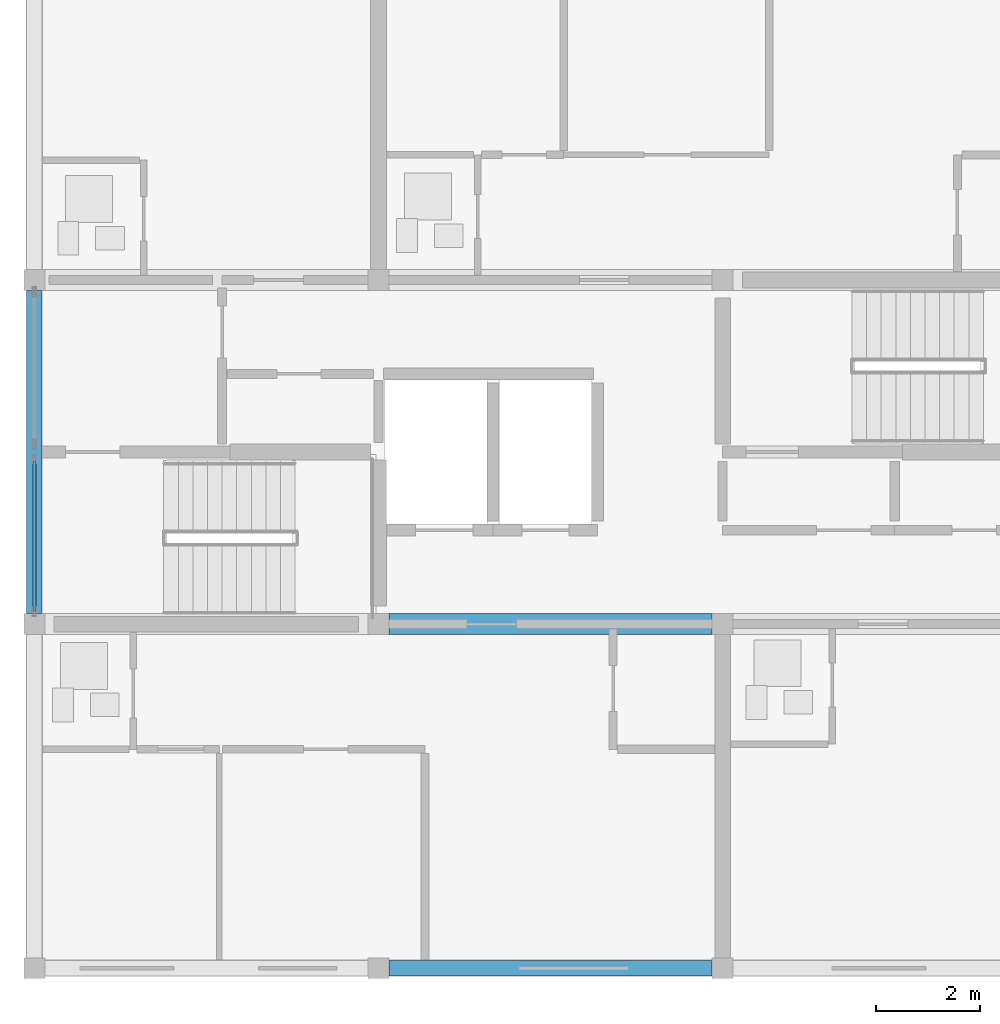
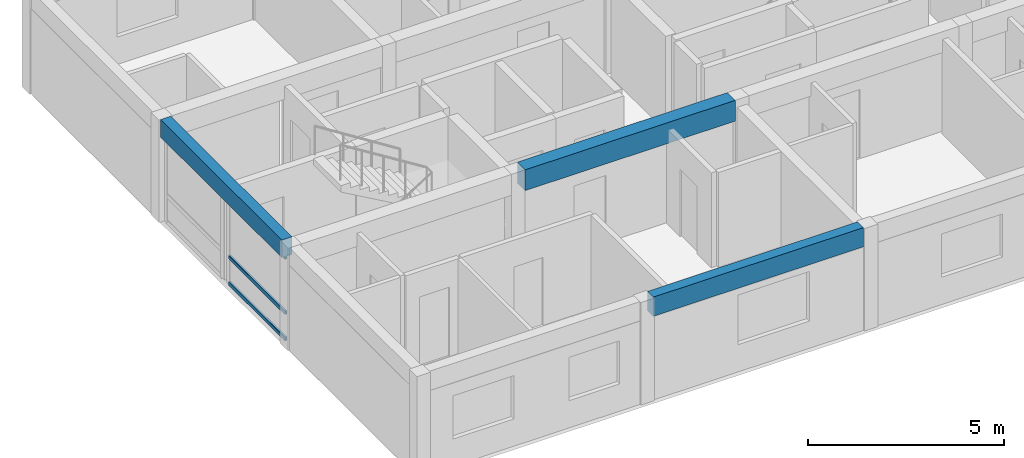
# One storey, part 5 of 45: 3 beams, 3 members, 1 element without a shape of its own.
"""IFC4 building model written with IfcOpenShell, lengths in metres."""

from ifc_helpers import new_model, si_unit, direction, frame, origin, origin_2d, place, context, subcontext, project, spatial, rectangle, hollow_rectangle, extrude, material, material_profile, profile_set, type_object, element, aggregate, save


model = new_model("IFC4")

# Units and contexts
model_context = context("Model", 3, precision=1e-05, world=origin(), true_north=direction((0.0, 1.0)))
body_context = subcontext(model_context, "Body", "Model", "MODEL_VIEW")
ifc_project = project(units=[si_unit("LENGTHUNIT", "METRE"), si_unit("AREAUNIT", "SQUARE_METRE"), si_unit("VOLUMEUNIT", "CUBIC_METRE"), si_unit("PLANEANGLEUNIT", "RADIAN"), si_unit("MASSUNIT", "GRAM", prefix="KILO")], contexts=[model_context])

# Site, building, storey
site_placement = place(None, origin())
site = spatial("IfcSite", under=ifc_project, at=site_placement, CompositionType="ELEMENT")
building_placement = place(site_placement, origin())
building = spatial("IfcBuilding", under=site, at=building_placement, Name="Kernevlak Ridge Housing Community", CompositionType="ELEMENT")
storey_placement = place(building_placement, frame((0.0, 0.0, 21.199951171875)))
storey = spatial("IfcBuildingStorey", under=building, at=storey_placement, Name="L06", CompositionType="ELEMENT", Elevation=21.199951171875)

# Beams
ifc_material_1 = material(Name="Concrete C35/45", Category="concrete")
ifc_material_profile_1 = material_profile(ifc_material_1, rectangle(XDim=0.39990234375, YDim=0.64990234375, at=origin_2d()), Name="RC 400x650")
ifc_profile_set_1 = profile_set([ifc_material_profile_1], Name="Concrete C35/45")
beam_type_1 = type_object("IfcBeamType", Name="B-03", PredefinedType="T_BEAM", material=ifc_profile_set_1)
beam_1_placement = place(storey_placement, frame((22.39990234375, 22.199951171875, 2.875), z_axis=(1.0, 0.0, 0.0), x_axis=(0.0, 1.0, 0.0)))
element("IfcBeam", 1, at=beam_1_placement, inside=storey, type_object=beam_type_1, Name="Beam B-03 L06 1459", PredefinedType="T_BEAM", context=body_context, shape_type="SweptSolid", body=[
    extrude(rectangle(XDim=0.39990234375, YDim=0.64990234375, at=origin_2d()), origin(), (0.0, 0.0, 1.0), 6.2001953125),
])
ifc_material_profile_2 = material_profile(ifc_material_1, rectangle(XDim=0.300048828125, YDim=0.550048828125, at=origin_2d()), Name="RC 300x550")
ifc_profile_set_2 = profile_set([ifc_material_profile_2], Name="Concrete C35/45")
beam_type_2 = type_object("IfcBeamType", Name="SP-01", PredefinedType="SPANDREL", material=ifc_profile_set_2)
beam_2_placement = place(storey_placement, frame((15.60009765625, 22.39990234375, 2.925048828125), z_axis=(0.0, 1.0, 0.0), x_axis=(-1.0, 0.0, 0.0)))
element("IfcBeam", 2, at=beam_2_placement, inside=storey, type_object=beam_type_2, Name="Beam SP-01 L06 1471", PredefinedType="SPANDREL", context=body_context, shape_type="SweptSolid", body=[
    extrude(rectangle(XDim=0.300048828125, YDim=0.550048828125, at=origin_2d()), origin(), (0.0, 0.0, 1.0), 6.2001953125),
])
ifc_material_profile_3 = material_profile(ifc_material_1, rectangle(XDim=0.300048828125, YDim=0.60009765625, at=origin_2d()), Name="RC 300x600")
ifc_profile_set_3 = profile_set([ifc_material_profile_3], Name="Concrete C35/45")
beam_type_3 = type_object("IfcBeamType", Name="SP-02", PredefinedType="SPANDREL", material=ifc_profile_set_3)
beam_3_placement = place(storey_placement, frame((22.39990234375, 15.60009765625, 2.900146484375), z_axis=(1.0, 0.0, 0.0), x_axis=(0.0, 1.0, 0.0)))
element("IfcBeam", 3, at=beam_3_placement, inside=storey, type_object=beam_type_3, Name="Beam SP-02 L06 1455", PredefinedType="SPANDREL", context=body_context, shape_type="SweptSolid", body=[
    extrude(rectangle(XDim=0.300048828125, YDim=0.60009765625, at=origin_2d()), origin(), (0.0, 0.0, 1.0), 6.2001953125),
])

# Curtain wall, members
ifc_material_2 = material(Name="Aluminium EN AW-6060 anodised and laminated glass", Category="aluminium")
curtain_wall_type = type_object("IfcCurtainWallType", Name="CW-10", PredefinedType="NOTDEFINED", material=ifc_material_2)
curtain_wall_placement = place(storey_placement, origin())
curtain_wall = element("IfcCurtainWall", 4, at=curtain_wall_placement, inside=storey, type_object=curtain_wall_type, Name="Curtain wall CW-10 CW-L06-157", PredefinedType="NOTDEFINED")
ifc_material_3 = material(Name="Aluminium EN AW-6060 anodised", Category="aluminium")
ifc_material_profile_4 = material_profile(ifc_material_3, hollow_rectangle(XDim=0.06005859375, YDim=0.1201171875, WallThickness=0.00390625, InnerFilletRadius=0.001953125, OuterFilletRadius=0.00390625, at=origin_2d()), Name="ALU 60x120x4")
ifc_profile_set_4 = profile_set([ifc_material_profile_4], Name="Aluminium EN AW-6060 anodised")
member_type = type_object("IfcMemberType", Name="TM-02", PredefinedType="USERDEFINED", material=ifc_profile_set_4)
member_1_placement = place(storey_placement, frame((15.60009765625, 22.4599609375, 0.030029296875), z_axis=(0.0, 1.0, 0.0), x_axis=(-1.0, 0.0, 0.0)))
member_1 = element("IfcMember", 5, at=member_1_placement, type_object=member_type, Name="CW-10 transom 1.1", ObjectType="TRANSOM", PredefinedType="USERDEFINED", context=body_context, shape_type="SweptSolid", body=[
    extrude(hollow_rectangle(XDim=0.06005859375, YDim=0.1201171875, WallThickness=0.00390625, InnerFilletRadius=0.001953125, OuterFilletRadius=0.00390625, at=origin_2d()), origin(), (0.0, 0.0, 1.0), 2.8701171875),
])
member_2_placement = place(storey_placement, frame((15.60009765625, 22.4599609375, 0.85009765625), z_axis=(0.0, 1.0, 0.0), x_axis=(-1.0, 0.0, 0.0)))
member_2 = element("IfcMember", 6, at=member_2_placement, type_object=member_type, Name="CW-10 transom 1.2", ObjectType="TRANSOM", PredefinedType="USERDEFINED", context=body_context, shape_type="SweptSolid", body=[
    extrude(hollow_rectangle(XDim=0.06005859375, YDim=0.1201171875, WallThickness=0.00390625, InnerFilletRadius=0.001953125, OuterFilletRadius=0.00390625, at=origin_2d()), origin(), (0.0, 0.0, 1.0), 2.8701171875),
])
member_3_placement = place(storey_placement, frame((15.60009765625, 22.4599609375, 2.570068359375), z_axis=(0.0, 1.0, 0.0), x_axis=(-1.0, 0.0, 0.0)))
member_3 = element("IfcMember", 7, at=member_3_placement, type_object=member_type, Name="CW-10 transom 1.3", ObjectType="TRANSOM", PredefinedType="USERDEFINED", context=body_context, shape_type="SweptSolid", body=[
    extrude(hollow_rectangle(XDim=0.06005859375, YDim=0.1201171875, WallThickness=0.00390625, InnerFilletRadius=0.001953125, OuterFilletRadius=0.00390625, at=origin_2d()), origin(), (0.0, 0.0, 1.0), 2.8701171875),
])
aggregate(curtain_wall, [member_1, member_2, member_3])

save(model, "model.ifc")
